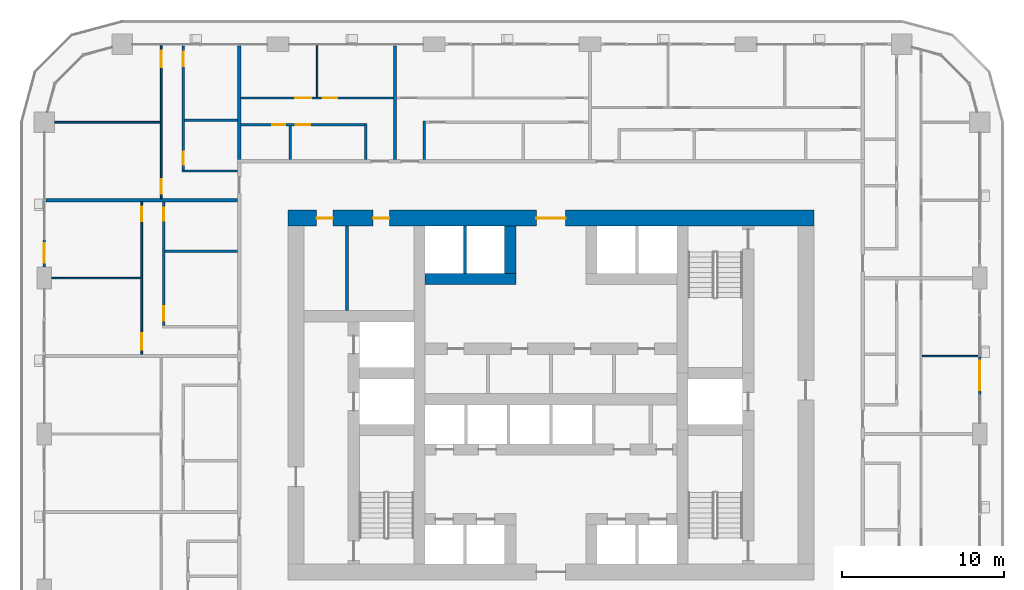
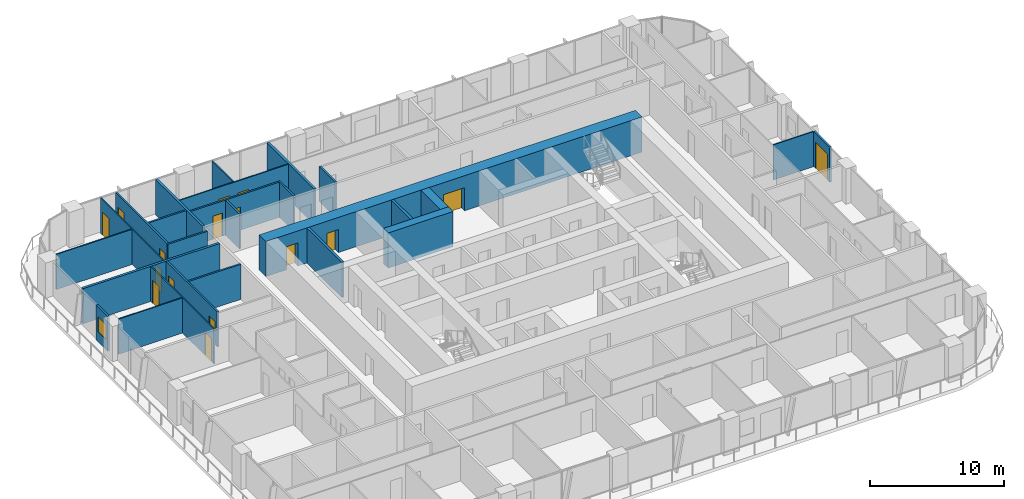
# One storey, part 13 of 21: 26 walls, 16 doors, 1 window, 17 openings.
"""IFC4 building model written with IfcOpenShell, lengths in metres."""

from ifc_helpers import new_model, si_unit, direction, frame, frame_2d, origin, place, context, subcontext, project, spatial, rectangle, extrude, material, layer, layer_set, type_object, element, fill, save


model = new_model("IFC4")

# Units and contexts
model_context = context("Model", 3, precision=1e-05, world=origin(), true_north=direction((0.0, 1.0)))
body_context = subcontext(model_context, "Body", "Model", "MODEL_VIEW")
ifc_project = project(units=[si_unit("LENGTHUNIT", "METRE"), si_unit("AREAUNIT", "SQUARE_METRE"), si_unit("VOLUMEUNIT", "CUBIC_METRE"), si_unit("PLANEANGLEUNIT", "RADIAN"), si_unit("MASSUNIT", "GRAM", prefix="KILO")], contexts=[model_context])

# Site, building, storey
site_placement = place(None, origin())
site = spatial("IfcSite", under=ifc_project, at=site_placement, CompositionType="ELEMENT")
building_placement = place(site_placement, origin())
building = spatial("IfcBuilding", under=site, at=building_placement, Name="Madar Terraces", CompositionType="ELEMENT")
storey_placement = place(building_placement, frame((0.0, 0.0, 46.89990234375)))
storey = spatial("IfcBuildingStorey", under=building, at=storey_placement, Name="L11", CompositionType="ELEMENT", Elevation=46.89990234375)

# Walls
ifc_material_1 = material(Name="Concrete C80/95", Category="concrete")
ifc_layer_1 = layer(ifc_material_1, 0.699951171875)
ifc_layer_set_1 = layer_set([ifc_layer_1], Name="Concrete C80/95 (CIW1 RC wall 700)")
wall_type_1 = type_object("IfcWallType", Name="CIW1 RC wall 700", PredefinedType="SHEAR", material=ifc_layer_set_1)
wall_1_placement = place(storey_placement, frame((23.449951171875, 33.550048828125, 0.0), z_axis=(0.0, 0.0, 1.0), x_axis=(1.0, 0.0, 0.0)))
element("IfcWall", 1, at=wall_1_placement, inside=storey, type_object=wall_type_1, Name="CORE SHAFT WALL", PredefinedType="SHEAR", context=body_context, shape_type="SweptSolid", body=[
    extrude(rectangle(XDim=5.60009765625, YDim=0.699951171875, at=frame_2d((2.800048828125, 0.0))), origin(), (0.0, 0.0, 1.0), 3.2001953125),
])
wall_2_placement = place(storey_placement, frame((28.699951171875, 33.89990234375, 0.0), z_axis=(0.0, 0.0, 1.0), x_axis=(0.0, 1.0, 0.0)))
element("IfcWall", 2, at=wall_2_placement, inside=storey, type_object=wall_type_1, Name="CORE SHAFT WALL", PredefinedType="SHEAR", context=body_context, shape_type="SweptSolid", body=[
    extrude(rectangle(XDim=2.900146484375, YDim=0.699951171875, at=frame_2d((1.4501953125, 0.0))), origin(), (0.0, 0.0, 1.0), 3.2001953125),
])

# Wall, openings, doors
ifc_material_2 = material(Name="Concrete C80/95", Category="concrete")
ifc_layer_2 = layer(ifc_material_2, 1.0)
ifc_layer_set_2 = layer_set([ifc_layer_2], Name="Concrete C80/95 (CRW1 RC wall 1000)")
wall_type_2 = type_object("IfcWallType", Name="CRW1 RC wall 1000", PredefinedType="SHEAR", material=ifc_layer_set_2)
wall_3_placement = place(storey_placement, frame((15.0, 37.300048828125, 0.0), z_axis=(0.0, 0.0, 1.0), x_axis=(1.0, 0.0, 0.0)))
wall_3 = element("IfcWall", 3, at=wall_3_placement, inside=storey, type_object=wall_type_2, Name="CORE OUTER WALL", PredefinedType="SHEAR", context=body_context, shape_type="SweptSolid", body=[
    extrude(rectangle(XDim=32.39990234375, YDim=1.0, at=frame_2d((16.199951171875, 0.0))), origin(), (0.0, 0.0, 1.0), 3.2001953125),
])
opening_1_placement = place(wall_3_placement, frame((15.300048828125, 0.0, 0.0)))
opening_1 = element("IfcOpeningElement", 4, at=opening_1_placement, cuts=wall_3, Name="Opening KD1", PredefinedType="OPENING", context=body_context, shape_type="SweptSolid", body=[
    extrude(rectangle(XDim=1.800048828125, YDim=2.10009765625, at=frame_2d((0.89990234375, 1.050048828125))), frame((0.0, 0.510009765625, 0.0), z_axis=(0.0, -1.0, 0.0), x_axis=(1.0, 0.0, 0.0)), (0.0, 0.0, 1.0), 1.02001953125),
])
opening_2_placement = place(wall_3_placement, frame((1.766357421875, 0.0, 0.0)))
opening_2 = element("IfcOpeningElement", 5, at=opening_2_placement, cuts=wall_3, Name="Opening KD2", PredefinedType="OPENING", context=body_context, shape_type="SweptSolid", body=[
    extrude(rectangle(XDim=1.0, YDim=2.10009765625, at=frame_2d((0.5, 1.050048828125))), frame((0.0, 0.510009765625, 0.0), z_axis=(0.0, -1.0, 0.0), x_axis=(1.0, 0.0, 0.0)), (0.0, 0.0, 1.0), 1.02001953125),
])
opening_3_placement = place(wall_3_placement, frame((5.2412109375, 0.0, 0.0)))
opening_3 = element("IfcOpeningElement", 6, at=opening_3_placement, cuts=wall_3, Name="Opening KD2", PredefinedType="OPENING", context=body_context, shape_type="SweptSolid", body=[
    extrude(rectangle(XDim=1.0, YDim=2.10009765625, at=frame_2d((0.5, 1.050048828125))), frame((0.0, 0.510009765625, 0.0), z_axis=(0.0, -1.0, 0.0), x_axis=(1.0, 0.0, 0.0)), (0.0, 0.0, 1.0), 1.02001953125),
])
ifc_material_3 = material(Name="Steel door leaf", Category="steel")
door_type_1 = type_object("IfcDoorType", Name="Lobby door pair 1800 x 2100", OperationType="DOUBLE_DOOR_SINGLE_SWING", PredefinedType="DOOR", material=ifc_material_3)
door_1_placement = place(opening_1_placement, origin())
door_1 = element("IfcDoor", 7, at=door_1_placement, inside=storey, type_object=door_type_1, Name="LIFT LOBBY DOOR", OperationType="DOUBLE_DOOR_SINGLE_SWING", OverallHeight=2.10009765625, OverallWidth=1.800048828125, PredefinedType="DOOR", context=body_context, shape_type="SweptSolid", body=[
    extrude(rectangle(XDim=1.800048828125, YDim=2.10009765625, at=frame_2d((0.89990234375, 1.050048828125))), frame((0.0, 0.02490234375, 0.0), z_axis=(0.0, -1.0, 0.0), x_axis=(1.0, 0.0, 0.0)), (0.0, 0.0, 1.0), 0.050048828125),
])
fill(opening_1, door_1)
ifc_material_4 = material(Name="Steel door leaf", Category="steel")
door_type_2 = type_object("IfcDoorType", Name="Service room door 1000 x 2100", OperationType="NOTDEFINED", PredefinedType="DOOR", material=ifc_material_4)
door_2_placement = place(opening_2_placement, origin())
door_2 = element("IfcDoor", 8, at=door_2_placement, inside=storey, type_object=door_type_2, Name="SERVICE ROOM DOOR", OperationType="SINGLE_SWING_RIGHT", OverallHeight=2.10009765625, OverallWidth=1.0, PredefinedType="DOOR", context=body_context, shape_type="SweptSolid", body=[
    extrude(rectangle(XDim=1.0, YDim=2.10009765625, at=frame_2d((0.5, 1.050048828125))), frame((0.0, 0.02490234375, 0.0), z_axis=(0.0, -1.0, 0.0), x_axis=(1.0, 0.0, 0.0)), (0.0, 0.0, 1.0), 0.050048828125),
])
fill(opening_2, door_2)
door_3_placement = place(opening_3_placement, origin())
door_3 = element("IfcDoor", 9, at=door_3_placement, inside=storey, type_object=door_type_2, Name="SERVICE ROOM DOOR", OperationType="SINGLE_SWING_LEFT", OverallHeight=2.10009765625, OverallWidth=1.0, PredefinedType="DOOR", context=body_context, shape_type="SweptSolid", body=[
    extrude(rectangle(XDim=1.0, YDim=2.10009765625, at=frame_2d((0.5, 1.050048828125))), frame((0.0, 0.02490234375, 0.0), z_axis=(0.0, -1.0, 0.0), x_axis=(1.0, 0.0, 0.0)), (0.0, 0.0, 1.0), 0.050048828125),
])
fill(opening_3, door_3)

# Walls
ifc_material_5 = material(Name="Masonry blockwork", Category="masonry")
ifc_layer_3 = layer(ifc_material_5, 0.199951171875)
ifc_layer_set_3 = layer_set([ifc_layer_3], Name="Core partition 200 blockwork")
wall_type_3 = type_object("IfcWallType", Name="Core partition 200 blockwork", PredefinedType="PARTITIONING", material=ifc_layer_set_3)
wall_4_placement = place(storey_placement, frame((18.632568359375, 31.60009765625, 0.0), z_axis=(0.0, 0.0, 1.0), x_axis=(0.0, 1.0, 0.0)))
element("IfcWall", 10, at=wall_4_placement, inside=storey, type_object=wall_type_3, Name="SERVICE ROOM PARTITION", PredefinedType="PARTITIONING", context=body_context, shape_type="SweptSolid", body=[
    extrude(rectangle(XDim=5.199951171875, YDim=0.199951171875, at=frame_2d((2.60009765625, 0.0))), origin(), (0.0, 0.0, 1.0), 3.2001953125),
])
ifc_material_6 = material(Name="Concrete C40/50", Category="concrete")
ifc_layer_4 = layer(ifc_material_6, 0.199951171875)
ifc_layer_set_4 = layer_set([ifc_layer_4], Name="Core shaft dividing wall 200 C40/50")
wall_type_4 = type_object("IfcWallType", Name="Core shaft dividing wall 200 C40/50", PredefinedType="SOLIDWALL", material=ifc_layer_set_4)
wall_5_placement = place(storey_placement, frame((25.89990234375, 33.89990234375, 0.0), z_axis=(0.0, 0.0, 1.0), x_axis=(0.0, 1.0, 0.0)))
element("IfcWall", 11, at=wall_5_placement, inside=storey, type_object=wall_type_4, Name="SHAFT DIVIDING WALL", PredefinedType="SOLIDWALL", context=body_context, shape_type="SweptSolid", body=[
    extrude(rectangle(XDim=2.900146484375, YDim=0.199951171875, at=frame_2d((1.4501953125, 0.0))), origin(), (0.0, 0.0, 1.0), 3.2001953125),
])

# Wall, opening, door
ifc_material_7 = material(Name="Aluminium composite panel, black, over insulated backing", Category="aluminium")
ifc_layer_5 = layer(ifc_material_7, 0.14990234375)
ifc_layer_set_5 = layer_set([ifc_layer_5], Name="Facade bay panel 150")
wall_type_5 = type_object("IfcWallType", Name="Facade bay panel 150", PredefinedType="SOLIDWALL", material=ifc_layer_set_5)
wall_6_placement = place(storey_placement, frame((57.60009765625, 26.39990234375, 0.0), z_axis=(0.0, 0.0, 1.0), x_axis=(0.0, 1.0, 0.0)))
wall_6 = element("IfcWall", 12, at=wall_6_placement, inside=storey, type_object=wall_type_5, Name="Facade bay panel", PredefinedType="SOLIDWALL", context=body_context, shape_type="SweptSolid", body=[
    extrude(rectangle(XDim=2.400146484375, YDim=0.14990234375, at=frame_2d((1.2001953125, 0.0))), origin(), (0.0, 0.0, 1.0), 3.2001953125),
])
opening_4_placement = place(wall_6_placement, frame((0.300048828125, 0.0, 0.0)))
opening_4 = element("IfcOpeningElement", 13, at=opening_4_placement, cuts=wall_6, Name="Opening ED1", PredefinedType="OPENING", context=body_context, shape_type="SweptSolid", body=[
    extrude(rectangle(XDim=1.800048828125, YDim=2.39990234375, at=frame_2d((0.89990234375, 1.199951171875))), frame((0.0, 0.0849609375, 0.0), z_axis=(0.0, -1.0, 0.0), x_axis=(1.0, 0.0, 0.0)), (0.0, 0.0, 1.0), 0.169921875),
])
ifc_material_8 = material(Name="Glass, clear, with black aluminium frame", Category="aluminium")
door_type_3 = type_object("IfcDoorType", Name="Balcony and terrace sliding door 1800 x 2400", OperationType="SLIDING_TO_LEFT", PredefinedType="DOOR", material=ifc_material_8)
door_4_placement = place(opening_4_placement, origin())
door_4 = element("IfcDoor", 14, at=door_4_placement, inside=storey, type_object=door_type_3, Name="Balcony door", OperationType="SLIDING_TO_LEFT", OverallHeight=2.39990234375, OverallWidth=1.800048828125, PredefinedType="DOOR", context=body_context, shape_type="SweptSolid", body=[
    extrude(rectangle(XDim=1.800048828125, YDim=2.39990234375, at=frame_2d((0.89990234375, 1.199951171875))), frame((0.0, 0.02490234375, 0.0), z_axis=(0.0, -1.0, 0.0), x_axis=(1.0, 0.0, 0.0)), (0.0, 0.0, 1.0), 0.050048828125),
])
fill(opening_4, door_4)

# Wall, opening, window
wall_7_placement = place(storey_placement, frame((0.0, 36.0, 0.0), z_axis=(0.0, 0.0, 1.0), x_axis=(0.0, -1.0, 0.0)))
wall_7 = element("IfcWall", 15, at=wall_7_placement, inside=storey, type_object=wall_type_5, Name="Facade bay panel", PredefinedType="SOLIDWALL", context=body_context, shape_type="SweptSolid", body=[
    extrude(rectangle(XDim=1.72509765625, YDim=0.14990234375, at=frame_2d((0.862548828125, 0.0))), origin(), (0.0, 0.0, 1.0), 3.2001953125),
])
opening_5_placement = place(wall_7_placement, frame((0.262451171875, 0.0, 0.89990234375)))
opening_5 = element("IfcOpeningElement", 16, at=opening_5_placement, cuts=wall_7, Name="Opening W1", PredefinedType="OPENING", context=body_context, shape_type="SweptSolid", body=[
    extrude(rectangle(XDim=1.199951171875, YDim=1.39990234375, at=frame_2d((0.60009765625, 0.699951171875))), frame((0.0, 0.0849609375, 0.0), z_axis=(0.0, -1.0, 0.0), x_axis=(1.0, 0.0, 0.0)), (0.0, 0.0, 1.0), 0.169921875),
])
ifc_material_9 = material(Name="Glass, clear, with black aluminium frame", Category="aluminium")
window_type = type_object("IfcWindowType", Name="Vent window 1200 x 1400", PartitioningType="SINGLE_PANEL", PredefinedType="WINDOW", material=ifc_material_9)
window_placement = place(opening_5_placement, origin())
window = element("IfcWindow", 17, at=window_placement, inside=storey, type_object=window_type, Name="Operable vent window", OverallHeight=1.39990234375, OverallWidth=1.199951171875, PartitioningType="SINGLE_PANEL", PredefinedType="WINDOW", context=body_context, shape_type="SweptSolid", body=[
    extrude(rectangle(XDim=1.199951171875, YDim=1.39990234375, at=frame_2d((0.60009765625, 0.699951171875))), frame((0.0, 0.030029296875, 0.0), z_axis=(0.0, -1.0, 0.0), x_axis=(1.0, 0.0, 0.0)), (0.0, 0.0, 1.0), 0.06005859375),
])
fill(opening_5, window)

# Walls
ifc_material_10 = material(Name="Gypsum board on steel studs", Category="steel")
ifc_layer_6 = layer(ifc_material_10, 0.10009765625)
ifc_layer_set_6 = layer_set([ifc_layer_6], Name="Flat partition 100")
wall_type_6 = type_object("IfcWallType", Name="Flat partition 100", PredefinedType="PARTITIONING", material=ifc_layer_set_6)
wall_8_placement = place(storey_placement, frame((54.050048828125, 28.800048828125, 0.0), z_axis=(0.0, 0.0, 1.0), x_axis=(1.0, 0.0, 0.0)))
element("IfcWall", 18, at=wall_8_placement, inside=storey, type_object=wall_type_6, Name="Flat partition 100", PredefinedType="PARTITIONING", context=body_context, shape_type="SweptSolid", body=[
    extrude(rectangle(XDim=3.449951171875, YDim=0.10009765625, at=frame_2d((1.72509765625, 0.0))), origin(), (0.0, 0.0, 1.0), 3.2001953125),
])
wall_9_placement = place(storey_placement, frame((16.800048828125, 44.75, 0.0), z_axis=(0.0, 0.0, 1.0), x_axis=(0.0, 1.0, 0.0)))
element("IfcWall", 19, at=wall_9_placement, inside=storey, type_object=wall_type_6, Name="Flat partition 100", PredefinedType="PARTITIONING", context=body_context, shape_type="SweptSolid", body=[
    extrude(rectangle(XDim=3.14990234375, YDim=0.10009765625, at=frame_2d((1.574951171875, 0.0))), origin(), (0.0, 0.0, 1.0), 3.2001953125),
])

# Wall, openings, doors
wall_10_placement = place(storey_placement, frame((12.10009765625, 44.699951171875, 0.0), z_axis=(0.0, 0.0, 1.0), x_axis=(1.0, 0.0, 0.0)))
wall_10 = element("IfcWall", 20, at=wall_10_placement, inside=storey, type_object=wall_type_6, Name="Flat partition 100", PredefinedType="PARTITIONING", context=body_context, shape_type="SweptSolid", body=[
    extrude(rectangle(XDim=9.39990234375, YDim=0.10009765625, at=frame_2d((4.699951171875, 0.0))), origin(), (0.0, 0.0, 1.0), 3.2001953125),
])
opening_6_placement = place(wall_10_placement, frame((5.050048828125, 0.0, 0.0)))
opening_6 = element("IfcOpeningElement", 21, at=opening_6_placement, cuts=wall_10, Name="Opening D2", PredefinedType="OPENING", context=body_context, shape_type="SweptSolid", body=[
    extrude(rectangle(XDim=0.89990234375, YDim=2.10009765625, at=frame_2d((0.449951171875, 1.050048828125))), frame((0.0, 0.06005859375, 0.0), z_axis=(0.0, -1.0, 0.0), x_axis=(1.0, 0.0, 0.0)), (0.0, 0.0, 1.0), 0.1201171875),
])
opening_7_placement = place(wall_10_placement, frame((3.35009765625, 0.0, 0.0)))
opening_7 = element("IfcOpeningElement", 22, at=opening_7_placement, cuts=wall_10, Name="Opening D3", PredefinedType="OPENING", context=body_context, shape_type="SweptSolid", body=[
    extrude(rectangle(XDim=1.0, YDim=2.10009765625, at=frame_2d((0.5, 1.050048828125))), frame((0.0, 0.06005859375, 0.0), z_axis=(0.0, -1.0, 0.0), x_axis=(1.0, 0.0, 0.0)), (0.0, 0.0, 1.0), 0.1201171875),
])
ifc_material_11 = material(Name="Timber door leaf", Category="wood")
door_type_4 = type_object("IfcDoorType", Name="Flat living room door 1000", OperationType="NOTDEFINED", PredefinedType="DOOR", material=ifc_material_11)
door_5_placement = place(opening_7_placement, origin())
door_5 = element("IfcDoor", 23, at=door_5_placement, inside=storey, type_object=door_type_4, Name="Flat living room door 1000", OperationType="SINGLE_SWING_RIGHT", OverallHeight=2.10009765625, OverallWidth=1.0, PredefinedType="DOOR", context=body_context, shape_type="SweptSolid", body=[
    extrude(rectangle(XDim=1.0, YDim=2.10009765625, at=frame_2d((0.5, 1.050048828125))), frame((0.0, 0.02490234375, 0.0), z_axis=(0.0, -1.0, 0.0), x_axis=(1.0, 0.0, 0.0)), (0.0, 0.0, 1.0), 0.050048828125),
])
fill(opening_7, door_5)
ifc_material_12 = material(Name="Timber door leaf", Category="wood")
door_type_5 = type_object("IfcDoorType", Name="Flat room door 900", OperationType="NOTDEFINED", PredefinedType="DOOR", material=ifc_material_12)
door_6_placement = place(opening_6_placement, origin())
door_6 = element("IfcDoor", 24, at=door_6_placement, inside=storey, type_object=door_type_5, Name="Flat room door 900", OperationType="SINGLE_SWING_LEFT", OverallHeight=2.10009765625, OverallWidth=0.89990234375, PredefinedType="DOOR", context=body_context, shape_type="SweptSolid", body=[
    extrude(rectangle(XDim=0.89990234375, YDim=2.10009765625, at=frame_2d((0.449951171875, 1.050048828125))), frame((0.0, 0.02490234375, 0.0), z_axis=(0.0, -1.0, 0.0), x_axis=(1.0, 0.0, 0.0)), (0.0, 0.0, 1.0), 0.050048828125),
])
fill(opening_6, door_6)

# Wall
wall_11_placement = place(storey_placement, frame((7.14990234375, 43.199951171875, 0.0), z_axis=(0.0, 0.0, 1.0), x_axis=(-1.0, 0.0, 0.0)))
element("IfcWall", 25, at=wall_11_placement, inside=storey, type_object=wall_type_6, Name="Flat partition 100", PredefinedType="PARTITIONING", context=body_context, shape_type="SweptSolid", body=[
    extrude(rectangle(XDim=6.52490234375, YDim=0.10009765625, at=frame_2d((3.262451171875, 0.0))), origin(), (0.0, 0.0, 1.0), 3.2001953125),
])

# Wall, openings, doors
wall_12_placement = place(storey_placement, frame((7.199951171875, 38.5, 0.0), z_axis=(0.0, 0.0, 1.0), x_axis=(0.0, 1.0, 0.0)))
wall_12 = element("IfcWall", 26, at=wall_12_placement, inside=storey, type_object=wall_type_6, Name="Flat partition 100", PredefinedType="PARTITIONING", context=body_context, shape_type="SweptSolid", body=[
    extrude(rectangle(XDim=9.39990234375, YDim=0.10009765625, at=frame_2d((4.699951171875, 0.0))), origin(), (0.0, 0.0, 1.0), 3.2001953125),
])
opening_8_placement = place(wall_12_placement, frame((0.300048828125, 0.0, 0.0)))
opening_8 = element("IfcOpeningElement", 27, at=opening_8_placement, cuts=wall_12, Name="Opening D2", PredefinedType="OPENING", context=body_context, shape_type="SweptSolid", body=[
    extrude(rectangle(XDim=0.89990234375, YDim=2.10009765625, at=frame_2d((0.449951171875, 1.050048828125))), frame((0.0, 0.06005859375, 0.0), z_axis=(0.0, -1.0, 0.0), x_axis=(1.0, 0.0, 0.0)), (0.0, 0.0, 1.0), 0.1201171875),
])
opening_9_placement = place(wall_12_placement, frame((8.10009765625, 0.0, 0.0)))
opening_9 = element("IfcOpeningElement", 28, at=opening_9_placement, cuts=wall_12, Name="Opening D3", PredefinedType="OPENING", context=body_context, shape_type="SweptSolid", body=[
    extrude(rectangle(XDim=1.0, YDim=2.10009765625, at=frame_2d((0.5, 1.050048828125))), frame((0.0, 0.06005859375, 0.0), z_axis=(0.0, -1.0, 0.0), x_axis=(1.0, 0.0, 0.0)), (0.0, 0.0, 1.0), 0.1201171875),
])
door_7_placement = place(opening_9_placement, origin())
door_7 = element("IfcDoor", 29, at=door_7_placement, inside=storey, type_object=door_type_4, Name="Flat living room door 1000", OperationType="SINGLE_SWING_RIGHT", OverallHeight=2.10009765625, OverallWidth=1.0, PredefinedType="DOOR", context=body_context, shape_type="SweptSolid", body=[
    extrude(rectangle(XDim=1.0, YDim=2.10009765625, at=frame_2d((0.5, 1.050048828125))), frame((0.0, 0.02490234375, 0.0), z_axis=(0.0, -1.0, 0.0), x_axis=(1.0, 0.0, 0.0)), (0.0, 0.0, 1.0), 0.050048828125),
])
fill(opening_9, door_7)
door_8_placement = place(opening_8_placement, origin())
door_8 = element("IfcDoor", 30, at=door_8_placement, inside=storey, type_object=door_type_5, Name="Flat room door 900", OperationType="SINGLE_SWING_LEFT", OverallHeight=2.10009765625, OverallWidth=0.89990234375, PredefinedType="DOOR", context=body_context, shape_type="SweptSolid", body=[
    extrude(rectangle(XDim=0.89990234375, YDim=2.10009765625, at=frame_2d((0.449951171875, 1.050048828125))), frame((0.0, 0.02490234375, 0.0), z_axis=(0.0, -1.0, 0.0), x_axis=(1.0, 0.0, 0.0)), (0.0, 0.0, 1.0), 0.050048828125),
])
fill(opening_8, door_8)

# Wall
wall_13_placement = place(storey_placement, frame((5.949951171875, 33.60009765625, 0.0), z_axis=(0.0, 0.0, 1.0), x_axis=(-1.0, 0.0, 0.0)))
element("IfcWall", 31, at=wall_13_placement, inside=storey, type_object=wall_type_6, Name="Flat partition 100", PredefinedType="PARTITIONING", context=body_context, shape_type="SweptSolid", body=[
    extrude(rectangle(XDim=5.5, YDim=0.10009765625, at=frame_2d((2.75, 0.0))), origin(), (0.0, 0.0, 1.0), 3.2001953125),
])

# Wall, openings, doors
wall_14_placement = place(storey_placement, frame((6.0, 28.89990234375, 0.0), z_axis=(0.0, 0.0, 1.0), x_axis=(0.0, 1.0, 0.0)))
wall_14 = element("IfcWall", 32, at=wall_14_placement, inside=storey, type_object=wall_type_6, Name="Flat partition 100", PredefinedType="PARTITIONING", context=body_context, shape_type="SweptSolid", body=[
    extrude(rectangle(XDim=9.400146484375, YDim=0.10009765625, at=frame_2d((4.7001953125, 0.0))), origin(), (0.0, 0.0, 1.0), 3.2001953125),
])
opening_10_placement = place(wall_14_placement, frame((0.300048828125, 0.0, 0.0)))
opening_10 = element("IfcOpeningElement", 33, at=opening_10_placement, cuts=wall_14, Name="Opening D3", PredefinedType="OPENING", context=body_context, shape_type="SweptSolid", body=[
    extrude(rectangle(XDim=1.0, YDim=2.10009765625, at=frame_2d((0.5, 1.050048828125))), frame((0.0, 0.06005859375, 0.0), z_axis=(0.0, -1.0, 0.0), x_axis=(1.0, 0.0, 0.0)), (0.0, 0.0, 1.0), 0.1201171875),
])
opening_11_placement = place(wall_14_placement, frame((8.199951171875, 0.0, 0.0)))
opening_11 = element("IfcOpeningElement", 34, at=opening_11_placement, cuts=wall_14, Name="Opening D2", PredefinedType="OPENING", context=body_context, shape_type="SweptSolid", body=[
    extrude(rectangle(XDim=0.89990234375, YDim=2.10009765625, at=frame_2d((0.449951171875, 1.050048828125))), frame((0.0, 0.06005859375, 0.0), z_axis=(0.0, -1.0, 0.0), x_axis=(1.0, 0.0, 0.0)), (0.0, 0.0, 1.0), 0.1201171875),
])
door_9_placement = place(opening_10_placement, origin())
door_9 = element("IfcDoor", 35, at=door_9_placement, inside=storey, type_object=door_type_4, Name="Flat living room door 1000", OperationType="SINGLE_SWING_LEFT", OverallHeight=2.10009765625, OverallWidth=1.0, PredefinedType="DOOR", context=body_context, shape_type="SweptSolid", body=[
    extrude(rectangle(XDim=1.0, YDim=2.10009765625, at=frame_2d((0.5, 1.050048828125))), frame((0.0, 0.02490234375, 0.0), z_axis=(0.0, -1.0, 0.0), x_axis=(1.0, 0.0, 0.0)), (0.0, 0.0, 1.0), 0.050048828125),
])
fill(opening_10, door_9)
door_10_placement = place(opening_11_placement, origin())
door_10 = element("IfcDoor", 36, at=door_10_placement, inside=storey, type_object=door_type_5, Name="Flat room door 900", OperationType="SINGLE_SWING_RIGHT", OverallHeight=2.10009765625, OverallWidth=0.89990234375, PredefinedType="DOOR", context=body_context, shape_type="SweptSolid", body=[
    extrude(rectangle(XDim=0.89990234375, YDim=2.10009765625, at=frame_2d((0.449951171875, 1.050048828125))), frame((0.0, 0.02490234375, 0.0), z_axis=(0.0, -1.0, 0.0), x_axis=(1.0, 0.0, 0.0)), (0.0, 0.0, 1.0), 0.050048828125),
])
fill(opening_11, door_10)

# Walls
ifc_material_13 = material(Name="Lightweight blockwork", Category="masonry")
ifc_layer_7 = layer(ifc_material_13, 0.199951171875)
ifc_layer_set_7 = layer_set([ifc_layer_7], Name="Flat party and entrance wall 200")
wall_type_7 = type_object("IfcWallType", Name="Flat party and entrance wall 200", PredefinedType="PARTITIONING", material=ifc_layer_set_7)
for number, where, z_axis, x_axis, name in (
    (37, (21.60009765625, 47.89990234375, 0.0), (0.0, 0.0, 1.0), (0.0, -1.0, 0.0), "Flat party and entrance wall 200"),
    (38, (12.0, 47.89990234375, 0.0), (0.0, 0.0, 1.0), (0.0, -1.0, 0.0), "Flat party and entrance wall 200"),
):
    element("IfcWall", number, at=place(storey_placement, frame(where, z_axis=z_axis, x_axis=x_axis)), inside=storey, type_object=wall_type_7, Name=name, PredefinedType="PARTITIONING", context=body_context, shape_type="SweptSolid", body=[
        extrude(rectangle(XDim=7.0, YDim=0.199951171875, at=frame_2d((3.5, 0.0))), origin(), (0.0, 0.0, 1.0), 3.2001953125),
    ])
wall_15_placement = place(storey_placement, frame((0.10009765625, 38.39990234375, 0.0), z_axis=(0.0, 0.0, 1.0), x_axis=(1.0, 0.0, 0.0)))
element("IfcWall", 39, at=wall_15_placement, inside=storey, type_object=wall_type_7, Name="Flat party and entrance wall 200", PredefinedType="PARTITIONING", context=body_context, shape_type="SweptSolid", body=[
    extrude(rectangle(XDim=11.7998046875, YDim=0.199951171875, at=frame_2d((5.89990234375, 0.0))), origin(), (0.0, 0.0, 1.0), 3.2001953125),
])
ifc_material_14 = material(Name="Lightweight blockwork", Category="masonry")
ifc_layer_8 = layer(ifc_material_14, 0.14990234375)
ifc_layer_set_8 = layer_set([ifc_layer_8], Name="Flat wet-room partition 150")
wall_type_8 = type_object("IfcWallType", Name="Flat wet-room partition 150", PredefinedType="PARTITIONING", material=ifc_layer_set_8)
wall_16_placement = place(storey_placement, frame((23.39990234375, 40.89990234375, 0.0), z_axis=(0.0, 0.0, 1.0), x_axis=(0.0, 1.0, 0.0)))
element("IfcWall", 40, at=wall_16_placement, inside=storey, type_object=wall_type_8, Name="Flat wet-room partition 150", PredefinedType="PARTITIONING", context=body_context, shape_type="SweptSolid", body=[
    extrude(rectangle(XDim=2.375, YDim=0.14990234375, at=frame_2d((1.1875, 0.0))), origin(), (0.0, 0.0, 1.0), 3.2001953125),
])
wall_17_placement = place(storey_placement, frame((15.14990234375, 40.89990234375, 0.0), z_axis=(0.0, 0.0, 1.0), x_axis=(0.0, 1.0, 0.0)))
element("IfcWall", 41, at=wall_17_placement, inside=storey, type_object=wall_type_8, Name="Flat wet-room partition 150", PredefinedType="PARTITIONING", context=body_context, shape_type="SweptSolid", body=[
    extrude(rectangle(XDim=2.0751953125, YDim=0.14990234375, at=frame_2d((1.03759765625, 0.0))), origin(), (0.0, 0.0, 1.0), 3.2001953125),
])
wall_18_placement = place(storey_placement, frame((19.800048828125, 40.89990234375, 0.0), z_axis=(0.0, 0.0, 1.0), x_axis=(0.0, 1.0, 0.0)))
element("IfcWall", 42, at=wall_18_placement, inside=storey, type_object=wall_type_8, Name="Flat wet-room partition 150", PredefinedType="PARTITIONING", context=body_context, shape_type="SweptSolid", body=[
    extrude(rectangle(XDim=2.22509765625, YDim=0.14990234375, at=frame_2d((1.112548828125, 0.0))), origin(), (0.0, 0.0, 1.0), 3.2001953125),
])

# Wall, openings, doors
wall_19_placement = place(storey_placement, frame((19.72509765625, 43.050048828125, 0.0), z_axis=(0.0, 0.0, 1.0), x_axis=(-1.0, 0.0, 0.0)))
wall_19 = element("IfcWall", 43, at=wall_19_placement, inside=storey, type_object=wall_type_8, Name="Flat wet-room partition 150", PredefinedType="PARTITIONING", context=body_context, shape_type="SweptSolid", body=[
    extrude(rectangle(XDim=7.625, YDim=0.14990234375, at=frame_2d((3.8125, 0.0))), origin(), (0.0, 0.0, 1.0), 3.2001953125),
])
opening_12_placement = place(wall_19_placement, frame((3.35009765625, 0.0, 0.0)))
opening_12 = element("IfcOpeningElement", 44, at=opening_12_placement, cuts=wall_19, Name="Opening D2", PredefinedType="OPENING", context=body_context, shape_type="SweptSolid", body=[
    extrude(rectangle(XDim=0.89990234375, YDim=2.10009765625, at=frame_2d((0.449951171875, 1.050048828125))), frame((0.0, 0.0849609375, 0.0), z_axis=(0.0, -1.0, 0.0), x_axis=(1.0, 0.0, 0.0)), (0.0, 0.0, 1.0), 0.169921875),
])
opening_13_placement = place(wall_19_placement, frame((4.89990234375, 0.0, 0.0)))
opening_13 = element("IfcOpeningElement", 45, at=opening_13_placement, cuts=wall_19, Name="Opening D4", PredefinedType="OPENING", context=body_context, shape_type="SweptSolid", body=[
    extrude(rectangle(XDim=0.800048828125, YDim=2.10009765625, at=frame_2d((0.39990234375, 1.050048828125))), frame((0.0, 0.0849609375, 0.0), z_axis=(0.0, -1.0, 0.0), x_axis=(1.0, 0.0, 0.0)), (0.0, 0.0, 1.0), 0.169921875),
])
ifc_material_15 = material(Name="Timber door leaf", Category="wood")
door_type_6 = type_object("IfcDoorType", Name="Flat bathroom door 800", OperationType="NOTDEFINED", PredefinedType="DOOR", material=ifc_material_15)
door_11_placement = place(opening_13_placement, origin())
door_11 = element("IfcDoor", 46, at=door_11_placement, inside=storey, type_object=door_type_6, Name="Flat bathroom door 800", OperationType="SINGLE_SWING_LEFT", OverallHeight=2.10009765625, OverallWidth=0.800048828125, PredefinedType="DOOR", context=body_context, shape_type="SweptSolid", body=[
    extrude(rectangle(XDim=0.800048828125, YDim=2.10009765625, at=frame_2d((0.39990234375, 1.050048828125))), frame((0.0, 0.02490234375, 0.0), z_axis=(0.0, -1.0, 0.0), x_axis=(1.0, 0.0, 0.0)), (0.0, 0.0, 1.0), 0.050048828125),
])
fill(opening_13, door_11)
door_12_placement = place(opening_12_placement, origin())
door_12 = element("IfcDoor", 47, at=door_12_placement, inside=storey, type_object=door_type_5, Name="Flat room door 900", OperationType="SINGLE_SWING_RIGHT", OverallHeight=2.10009765625, OverallWidth=0.89990234375, PredefinedType="DOOR", context=body_context, shape_type="SweptSolid", body=[
    extrude(rectangle(XDim=0.89990234375, YDim=2.10009765625, at=frame_2d((0.449951171875, 1.050048828125))), frame((0.0, 0.02490234375, 0.0), z_axis=(0.0, -1.0, 0.0), x_axis=(1.0, 0.0, 0.0)), (0.0, 0.0, 1.0), 0.050048828125),
])
fill(opening_12, door_12)

# Walls
wall_20_placement = place(storey_placement, frame((11.89990234375, 43.324951171875, 0.0), z_axis=(0.0, 0.0, 1.0), x_axis=(-1.0, 0.0, 0.0)))
element("IfcWall", 48, at=wall_20_placement, inside=storey, type_object=wall_type_8, Name="Flat wet-room partition 150", PredefinedType="PARTITIONING", context=body_context, shape_type="SweptSolid", body=[
    extrude(rectangle(XDim=3.27490234375, YDim=0.14990234375, at=frame_2d((1.637451171875, 0.0))), origin(), (0.0, 0.0, 1.0), 3.2001953125),
])
wall_21_placement = place(storey_placement, frame((11.89990234375, 40.199951171875, 0.0), z_axis=(0.0, 0.0, 1.0), x_axis=(-1.0, 0.0, 0.0)))
element("IfcWall", 49, at=wall_21_placement, inside=storey, type_object=wall_type_8, Name="Flat wet-room partition 150", PredefinedType="PARTITIONING", context=body_context, shape_type="SweptSolid", body=[
    extrude(rectangle(XDim=3.4248046875, YDim=0.14990234375, at=frame_2d((1.71240234375, 0.0))), origin(), (0.0, 0.0, 1.0), 3.2001953125),
])

# Wall, openings, doors
wall_22_placement = place(storey_placement, frame((8.550048828125, 47.89990234375, 0.0), z_axis=(0.0, 0.0, 1.0), x_axis=(0.0, -1.0, 0.0)))
wall_22 = element("IfcWall", 50, at=wall_22_placement, inside=storey, type_object=wall_type_8, Name="Flat wet-room partition 150", PredefinedType="PARTITIONING", context=body_context, shape_type="SweptSolid", body=[
    extrude(rectangle(XDim=7.625, YDim=0.14990234375, at=frame_2d((3.8125, 0.0))), origin(), (0.0, 0.0, 1.0), 3.2001953125),
])
opening_14_placement = place(wall_22_placement, frame((6.52490234375, 0.0, 0.0)))
opening_14 = element("IfcOpeningElement", 51, at=opening_14_placement, cuts=wall_22, Name="Opening D4", PredefinedType="OPENING", context=body_context, shape_type="SweptSolid", body=[
    extrude(rectangle(XDim=0.800048828125, YDim=2.10009765625, at=frame_2d((0.39990234375, 1.050048828125))), frame((0.0, 0.0849609375, 0.0), z_axis=(0.0, -1.0, 0.0), x_axis=(1.0, 0.0, 0.0)), (0.0, 0.0, 1.0), 0.169921875),
])
opening_15_placement = place(wall_22_placement, frame((0.35009765625, 0.0, 0.0)))
opening_15 = element("IfcOpeningElement", 52, at=opening_15_placement, cuts=wall_22, Name="Opening D2", PredefinedType="OPENING", context=body_context, shape_type="SweptSolid", body=[
    extrude(rectangle(XDim=0.89990234375, YDim=2.10009765625, at=frame_2d((0.449951171875, 1.050048828125))), frame((0.0, 0.0849609375, 0.0), z_axis=(0.0, -1.0, 0.0), x_axis=(1.0, 0.0, 0.0)), (0.0, 0.0, 1.0), 0.169921875),
])
door_13_placement = place(opening_14_placement, origin())
door_13 = element("IfcDoor", 53, at=door_13_placement, inside=storey, type_object=door_type_6, Name="Flat bathroom door 800", OperationType="SINGLE_SWING_RIGHT", OverallHeight=2.10009765625, OverallWidth=0.800048828125, PredefinedType="DOOR", context=body_context, shape_type="SweptSolid", body=[
    extrude(rectangle(XDim=0.800048828125, YDim=2.10009765625, at=frame_2d((0.39990234375, 1.050048828125))), frame((0.0, 0.02490234375, 0.0), z_axis=(0.0, -1.0, 0.0), x_axis=(1.0, 0.0, 0.0)), (0.0, 0.0, 1.0), 0.050048828125),
])
fill(opening_14, door_13)
door_14_placement = place(opening_15_placement, origin())
door_14 = element("IfcDoor", 54, at=door_14_placement, inside=storey, type_object=door_type_5, Name="Flat room door 900", OperationType="SINGLE_SWING_LEFT", OverallHeight=2.10009765625, OverallWidth=0.89990234375, PredefinedType="DOOR", context=body_context, shape_type="SweptSolid", body=[
    extrude(rectangle(XDim=0.89990234375, YDim=2.10009765625, at=frame_2d((0.449951171875, 1.050048828125))), frame((0.0, 0.02490234375, 0.0), z_axis=(0.0, -1.0, 0.0), x_axis=(1.0, 0.0, 0.0)), (0.0, 0.0, 1.0), 0.050048828125),
])
fill(opening_15, door_14)

# Wall
wall_23_placement = place(storey_placement, frame((11.89990234375, 35.25, 0.0), z_axis=(0.0, 0.0, 1.0), x_axis=(-1.0, 0.0, 0.0)))
element("IfcWall", 55, at=wall_23_placement, inside=storey, type_object=wall_type_8, Name="Flat wet-room partition 150", PredefinedType="PARTITIONING", context=body_context, shape_type="SweptSolid", body=[
    extrude(rectangle(XDim=4.474853515625, YDim=0.14990234375, at=frame_2d((2.2373046875, 0.0))), origin(), (0.0, 0.0, 1.0), 3.2001953125),
])

# Wall, openings, doors
wall_24_placement = place(storey_placement, frame((7.35009765625, 38.300048828125, 0.0), z_axis=(0.0, 0.0, 1.0), x_axis=(0.0, -1.0, 0.0)))
wall_24 = element("IfcWall", 56, at=wall_24_placement, inside=storey, type_object=wall_type_8, Name="Flat wet-room partition 150", PredefinedType="PARTITIONING", context=body_context, shape_type="SweptSolid", body=[
    extrude(rectangle(XDim=7.625, YDim=0.14990234375, at=frame_2d((3.8125, 0.0))), origin(), (0.0, 0.0, 1.0), 3.2001953125),
])
opening_16_placement = place(wall_24_placement, frame((6.425048828125, 0.0, 0.0)))
opening_16 = element("IfcOpeningElement", 57, at=opening_16_placement, cuts=wall_24, Name="Opening D2", PredefinedType="OPENING", context=body_context, shape_type="SweptSolid", body=[
    extrude(rectangle(XDim=0.89990234375, YDim=2.10009765625, at=frame_2d((0.449951171875, 1.050048828125))), frame((0.0, 0.0849609375, 0.0), z_axis=(0.0, -1.0, 0.0), x_axis=(1.0, 0.0, 0.0)), (0.0, 0.0, 1.0), 0.169921875),
])
opening_17_placement = place(wall_24_placement, frame((0.35009765625, 0.0, 0.0)))
opening_17 = element("IfcOpeningElement", 58, at=opening_17_placement, cuts=wall_24, Name="Opening D4", PredefinedType="OPENING", context=body_context, shape_type="SweptSolid", body=[
    extrude(rectangle(XDim=0.800048828125, YDim=2.10009765625, at=frame_2d((0.39990234375, 1.050048828125))), frame((0.0, 0.0849609375, 0.0), z_axis=(0.0, -1.0, 0.0), x_axis=(1.0, 0.0, 0.0)), (0.0, 0.0, 1.0), 0.169921875),
])
door_15_placement = place(opening_17_placement, origin())
door_15 = element("IfcDoor", 59, at=door_15_placement, inside=storey, type_object=door_type_6, Name="Flat bathroom door 800", OperationType="SINGLE_SWING_LEFT", OverallHeight=2.10009765625, OverallWidth=0.800048828125, PredefinedType="DOOR", context=body_context, shape_type="SweptSolid", body=[
    extrude(rectangle(XDim=0.800048828125, YDim=2.10009765625, at=frame_2d((0.39990234375, 1.050048828125))), frame((0.0, 0.02490234375, 0.0), z_axis=(0.0, -1.0, 0.0), x_axis=(1.0, 0.0, 0.0)), (0.0, 0.0, 1.0), 0.050048828125),
])
fill(opening_17, door_15)
door_16_placement = place(opening_16_placement, origin())
door_16 = element("IfcDoor", 60, at=door_16_placement, inside=storey, type_object=door_type_5, Name="Flat room door 900", OperationType="SINGLE_SWING_RIGHT", OverallHeight=2.10009765625, OverallWidth=0.89990234375, PredefinedType="DOOR", context=body_context, shape_type="SweptSolid", body=[
    extrude(rectangle(XDim=0.89990234375, YDim=2.10009765625, at=frame_2d((0.449951171875, 1.050048828125))), frame((0.0, 0.02490234375, 0.0), z_axis=(0.0, -1.0, 0.0), x_axis=(1.0, 0.0, 0.0)), (0.0, 0.0, 1.0), 0.050048828125),
])
fill(opening_16, door_16)

save(model, "model.ifc")
